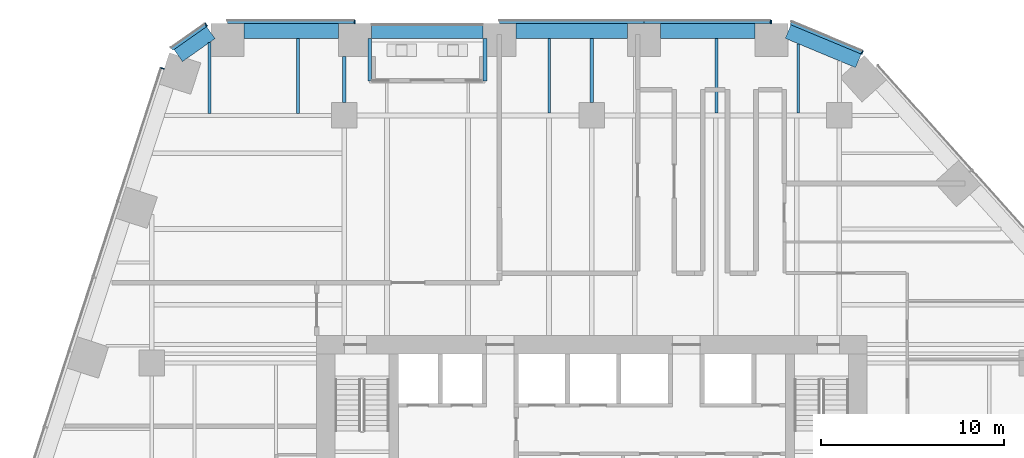
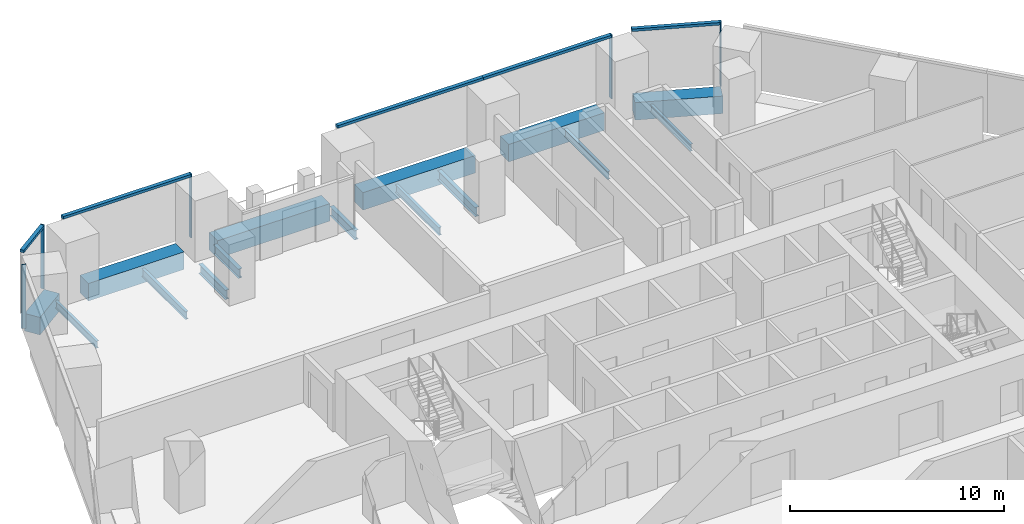
# One storey, part 14 of 31: 15 beams, 10 members, 4 elements without a shape of their own.
"""IFC4 building model written with IfcOpenShell, lengths in metres."""

from ifc_helpers import new_model, si_unit, direction, frame, origin, origin_2d, place, context, subcontext, project, spatial, rectangle, i_section, extrude, material, layer, layer_set, material_profile, profile_set, type_object, element, aggregate, save


model = new_model("IFC4")

# Units and contexts
model_context = context("Model", 3, precision=1e-05, world=origin(), true_north=direction((0.0, 1.0)))
body_context = subcontext(model_context, "Body", "Model", "MODEL_VIEW")
ifc_project = project(units=[si_unit("LENGTHUNIT", "METRE"), si_unit("AREAUNIT", "SQUARE_METRE"), si_unit("VOLUMEUNIT", "CUBIC_METRE"), si_unit("PLANEANGLEUNIT", "RADIAN"), si_unit("MASSUNIT", "GRAM", prefix="KILO")], contexts=[model_context])

# Site, building, storey
site_placement = place(None, origin())
site = spatial("IfcSite", under=ifc_project, at=site_placement, CompositionType="ELEMENT")
building_placement = place(site_placement, origin())
building = spatial("IfcBuilding", under=site, at=building_placement, Name="Isthmus Gate Tower", CompositionType="ELEMENT")
storey_placement = place(building_placement, frame((0.0, 0.0, 54.25)))
storey = spatial("IfcBuildingStorey", under=building, at=storey_placement, Name="L11", CompositionType="ELEMENT", Elevation=54.25)

# Curtain wall, members
ifc_material_1 = material(Name="Aluminium, pale champagne anodised", Category="aluminium")
ifc_layer = layer(ifc_material_1, 0.199951171875)
ifc_layer_set = layer_set([ifc_layer], Name="CW-1 UNITISED CURTAIN WALL 200 DEEP")
curtain_wall_type = type_object("IfcCurtainWallType", Name="CW-1 UNITISED CURTAIN WALL 200 DEEP", PredefinedType="NOTDEFINED", material=ifc_layer_set)
curtain_wall_1_placement = place(storey_placement, origin())
curtain_wall_1 = element("IfcCurtainWall", 1, at=curtain_wall_1_placement, inside=storey, type_object=curtain_wall_type, Name="CW-1 N L11", PredefinedType="NOTDEFINED")
ifc_material_2 = material(Name="Aluminium, pale champagne anodised", Category="aluminium")
ifc_material_profile_1 = material_profile(ifc_material_2, rectangle(XDim=0.06005859375, YDim=0.199951171875, at=origin_2d()), Name="60x200")
ifc_profile_set_1 = profile_set([ifc_material_profile_1], Name="Aluminium, pale champagne anodised")
member_type_1 = type_object("IfcMemberType", Name="CW-1 MULLION 60 X 200", PredefinedType="MULLION", material=ifc_profile_set_1)
member_1_placement = place(storey_placement, frame((9.77197265625, 32.10009765625, 0.0), z_axis=(0.0, 0.0, 1.0), x_axis=(-1.0, 0.0, 0.0)))
member_1 = element("IfcMember", 2, at=member_1_placement, type_object=member_type_1, Name="CW-1 mullion", PredefinedType="MULLION", context=body_context, shape_type="SweptSolid", body=[
    extrude(rectangle(XDim=0.06005859375, YDim=0.199951171875, at=origin_2d()), origin(), (0.0, 0.0, 1.0), 3.64990234375),
])
member_2_placement = place(storey_placement, frame((-12.936767578125, 32.10009765625, 0.0), z_axis=(0.0, 0.0, 1.0), x_axis=(-1.0, 0.0, 0.0)))
member_2 = element("IfcMember", 3, at=member_2_placement, type_object=member_type_1, Name="CW-1 mullion", PredefinedType="MULLION", context=body_context, shape_type="SweptSolid", body=[
    extrude(rectangle(XDim=0.06005859375, YDim=0.199951171875, at=origin_2d()), origin(), (0.0, 0.0, 1.0), 3.64990234375),
])

# Curtain wall, member
curtain_wall_2_placement = place(storey_placement, origin())
curtain_wall_2 = element("IfcCurtainWall", 4, at=curtain_wall_2_placement, inside=storey, type_object=curtain_wall_type, Name="CW-1 N-NW L11", PredefinedType="NOTDEFINED")
member_3_placement = place(storey_placement, frame((-21.031005859375, 31.943115234375, 0.0), z_axis=(0.0, 0.0, 1.0), x_axis=(-0.81785959165, -0.57541783805, 0.0)))
member_3 = element("IfcMember", 5, at=member_3_placement, type_object=member_type_1, Name="CW-1 mullion", PredefinedType="MULLION", context=body_context, shape_type="SweptSolid", body=[
    extrude(rectangle(XDim=0.06005859375, YDim=0.199951171875, at=origin_2d()), origin(), (0.0, 0.0, 1.0), 3.64990234375),
])

curtain_wall_3_placement = place(storey_placement, origin())
curtain_wall_3 = element("IfcCurtainWall", 6, at=curtain_wall_3_placement, inside=storey, type_object=curtain_wall_type, Name="CW-1 NW L11", PredefinedType="NOTDEFINED")
member_4_placement = place(storey_placement, frame((-23.41162109375, 29.561279296875, 0.0), z_axis=(0.0, 0.0, 1.0), x_axis=(-0.309016994375, -0.951056516295, 0.0)))
member_4 = element("IfcMember", 7, at=member_4_placement, type_object=member_type_1, Name="CW-1 mullion", PredefinedType="MULLION", context=body_context, shape_type="SweptSolid", body=[
    extrude(rectangle(XDim=0.06005859375, YDim=0.199951171875, at=origin_2d()), origin(), (0.0, 0.0, 1.0), 3.64990234375),
])
aggregate(curtain_wall_3, [member_4])

curtain_wall_4_placement = place(storey_placement, origin())
curtain_wall_4 = element("IfcCurtainWall", 8, at=curtain_wall_4_placement, inside=storey, type_object=curtain_wall_type, Name="CW-1 NE-N L11", PredefinedType="NOTDEFINED")
member_5_placement = place(storey_placement, frame((14.744140625, 30.427490234375, 0.0), z_axis=(0.0, 0.0, 1.0), x_axis=(-0.923353128387, 0.383951820282, 0.0)))
member_5 = element("IfcMember", 9, at=member_5_placement, type_object=member_type_1, Name="CW-1 mullion", PredefinedType="MULLION", context=body_context, shape_type="SweptSolid", body=[
    extrude(rectangle(XDim=0.06005859375, YDim=0.199951171875, at=origin_2d()), origin(), (0.0, 0.0, 1.0), 3.64990234375),
])

# Member
ifc_material_3 = material(Name="Aluminium, pale champagne anodised", Category="aluminium")
ifc_material_profile_2 = material_profile(ifc_material_3, rectangle(XDim=0.199951171875, YDim=0.14990234375, at=origin_2d()), Name="200x150")
ifc_profile_set_2 = profile_set([ifc_material_profile_2], Name="Aluminium, pale champagne anodised")
member_type_2 = type_object("IfcMemberType", Name="CW-1 TRANSOM 200 X 150", PredefinedType="USERDEFINED", material=ifc_profile_set_2)
member_6_placement = place(storey_placement, frame((9.741943359375, 32.10009765625, 3.574951171875), z_axis=(-1.0, 0.0, 0.0), x_axis=(0.0, -1.0, 0.0)))
member_6 = element("IfcMember", 10, at=member_6_placement, type_object=member_type_2, Name="CW-1 transom", ObjectType="TRANSOM", PredefinedType="USERDEFINED", context=body_context, shape_type="SweptSolid", body=[
    extrude(rectangle(XDim=0.199951171875, YDim=0.14990234375, at=origin_2d()), origin(), (0.0, 0.0, 1.0), 6.90966796875),
])

member_7_placement = place(storey_placement, frame((2.832275390625, 32.10009765625, 3.574951171875), z_axis=(-1.0, 0.0, 0.0), x_axis=(0.0, -1.0, 0.0)))
member_7 = element("IfcMember", 11, at=member_7_placement, type_object=member_type_2, Name="CW-1 transom", ObjectType="TRANSOM", PredefinedType="USERDEFINED", context=body_context, shape_type="SweptSolid", body=[
    extrude(rectangle(XDim=0.199951171875, YDim=0.14990234375, at=origin_2d()), origin(), (0.0, 0.0, 1.0), 7.869384765625),
])

member_8_placement = place(storey_placement, frame((-12.966796875, 32.10009765625, 3.574951171875), z_axis=(-1.0, 0.0, 0.0), x_axis=(0.0, -1.0, 0.0)))
member_8 = element("IfcMember", 12, at=member_8_placement, type_object=member_type_2, Name="CW-1 transom", ObjectType="TRANSOM", PredefinedType="USERDEFINED", context=body_context, shape_type="SweptSolid", body=[
    extrude(rectangle(XDim=0.199951171875, YDim=0.14990234375, at=origin_2d()), origin(), (0.0, 0.0, 1.0), 6.909423828125),
])

aggregate(curtain_wall_1, [member_1, member_6, member_7, member_2, member_8])

member_9_placement = place(storey_placement, frame((-21.055419921875, 31.92578125, 3.574951171875), z_axis=(-0.817868595604, -0.575405040233, 0.0), x_axis=(0.575405040233, -0.817868595604, 0.0)))
member_9 = element("IfcMember", 13, at=member_9_placement, type_object=member_type_2, Name="CW-1 transom", ObjectType="TRANSOM", PredefinedType="USERDEFINED", context=body_context, shape_type="SweptSolid", body=[
    extrude(rectangle(XDim=0.199951171875, YDim=0.14990234375, at=origin_2d()), origin(), (0.0, 0.0, 1.0), 2.258544921875),
])

aggregate(curtain_wall_2, [member_3, member_9])

member_10_placement = place(storey_placement, frame((14.716552734375, 30.43896484375, 3.574951171875), z_axis=(-0.923358236369, 0.383939536033, 0.0), x_axis=(-0.383939536033, -0.923358236369, 0.0)))
member_10 = element("IfcMember", 14, at=member_10_placement, type_object=member_type_2, Name="CW-1 transom", ObjectType="TRANSOM", PredefinedType="USERDEFINED", context=body_context, shape_type="SweptSolid", body=[
    extrude(rectangle(XDim=0.199951171875, YDim=0.14990234375, at=origin_2d()), origin(), (0.0, 0.0, 1.0), 4.181640625),
])

aggregate(curtain_wall_4, [member_5, member_10])

# Beams
ifc_material_4 = material(Name="Concrete f'c 70 MPa", Category="concrete")
ifc_material_profile_3 = material_profile(ifc_material_4, rectangle(XDim=0.800048828125, YDim=1.0, at=origin_2d()), Name="RC 800X1000")
ifc_profile_set_3 = profile_set([ifc_material_profile_3], Name="Concrete f'c 70 MPa")
beam_type_1 = type_object("IfcBeamType", Name="RC SPANDREL 800 X 1000", PredefinedType="SPANDREL", material=ifc_profile_set_3)
beam_1_placement = place(storey_placement, frame((10.701904296875, 31.56689453125, -0.5), z_axis=(0.923334166719, -0.383997417399, 0.0), x_axis=(0.383997417399, 0.923334166719, 0.0)))
element("IfcBeam", 15, at=beam_1_placement, inside=storey, type_object=beam_type_1, Name="str-spandrel-L11-00", PredefinedType="SPANDREL", context=body_context, shape_type="SweptSolid", body=[
    extrude(rectangle(XDim=0.800048828125, YDim=1.0, at=origin_2d()), origin(), (0.0, 0.0, 1.0), 4.15234375),
])
beam_2_placement = place(storey_placement, frame((-22.553466796875, 30.260498046875, -0.5), z_axis=(0.817857331203, 0.575421050882, 0.0), x_axis=(-0.575421050882, 0.817857331203, 0.0)))
element("IfcBeam", 16, at=beam_2_placement, inside=storey, type_object=beam_type_1, Name="str-spandrel-L11-22", PredefinedType="SPANDREL", context=body_context, shape_type="SweptSolid", body=[
    extrude(rectangle(XDim=0.800048828125, YDim=1.0, at=origin_2d()), origin(), (0.0, 0.0, 1.0), 2.173095703125),
])
beam_3_placement = place(storey_placement, frame((-18.976318359375, 31.60009765625, -0.5), z_axis=(1.0, 0.0, 0.0), x_axis=(0.0, 1.0, 0.0)))
element("IfcBeam", 17, at=beam_3_placement, inside=storey, type_object=beam_type_1, Name="str-spandrel-L11-23", PredefinedType="SPANDREL", context=body_context, shape_type="SweptSolid", body=[
    extrude(rectangle(XDim=0.800048828125, YDim=1.0, at=origin_2d()), origin(), (0.0, 0.0, 1.0), 5.169677734375),
])
beam_4_placement = place(storey_placement, frame((-12.006591796875, 31.60009765625, -0.5), z_axis=(1.0, 0.0, 0.0), x_axis=(0.0, 1.0, 0.0)))
element("IfcBeam", 18, at=beam_4_placement, inside=storey, type_object=beam_type_1, Name="str-spandrel-L11-24", PredefinedType="SPANDREL", context=body_context, shape_type="SweptSolid", body=[
    extrude(rectangle(XDim=0.800048828125, YDim=1.0, at=origin_2d()), origin(), (0.0, 0.0, 1.0), 6.0693359375),
])
beam_5_placement = place(storey_placement, frame((-4.13720703125, 31.60009765625, -0.5), z_axis=(1.0, 0.0, 0.0), x_axis=(0.0, 1.0, 0.0)))
element("IfcBeam", 19, at=beam_5_placement, inside=storey, type_object=beam_type_1, Name="str-spandrel-L11-25", PredefinedType="SPANDREL", context=body_context, shape_type="SweptSolid", body=[
    extrude(rectangle(XDim=0.800048828125, YDim=1.0, at=origin_2d()), origin(), (0.0, 0.0, 1.0), 6.069580078125),
])
beam_6_placement = place(storey_placement, frame((3.732421875, 31.60009765625, -0.5), z_axis=(1.0, 0.0, 0.0), x_axis=(0.0, 1.0, 0.0)))
element("IfcBeam", 20, at=beam_6_placement, inside=storey, type_object=beam_type_1, Name="str-spandrel-L11-26", PredefinedType="SPANDREL", context=body_context, shape_type="SweptSolid", body=[
    extrude(rectangle(XDim=0.800048828125, YDim=1.0, at=origin_2d()), origin(), (0.0, 0.0, 1.0), 5.16943359375),
])
ifc_material_5 = material(Name="Structural steel ASTM A992 Gr 50", Category="steel")
ifc_material_profile_4 = material_profile(ifc_material_5, i_section(OverallWidth=0.1396484375, OverallDepth=0.4033203125, WebThickness=0.00634765625, FlangeThickness=0.010986328125, at=origin_2d()), Name="W16X31")
ifc_profile_set_4 = profile_set([ifc_material_profile_4], Name="Structural steel ASTM A992 Gr 50")
beam_type_2 = type_object("IfcBeamType", Name="STEEL FLOOR BEAM W16X31", PredefinedType="JOIST", material=ifc_profile_set_4)
beam_7_placement = place(storey_placement, frame((-20.846435546875, 27.1142578125, -0.3515625), z_axis=(0.0, 1.0, 0.0), x_axis=(-1.0, 0.0, 0.0)))
element("IfcBeam", 21, at=beam_7_placement, inside=storey, type_object=beam_type_2, Name="str-beam-L11-10-00", PredefinedType="JOIST", context=body_context, shape_type="SweptSolid", body=[
    extrude(i_section(OverallWidth=0.1396484375, OverallDepth=0.4033203125, WebThickness=0.00634765625, FlangeThickness=0.010986328125, at=origin_2d()), origin(), (0.0, 0.0, 1.0), 3.858154296875),
])
beam_8_placement = place(storey_placement, frame((11.267578125, 27.1318359375, -0.3515625), z_axis=(0.0, 1.0, 0.0), x_axis=(-1.0, 0.0, 0.0)))
element("IfcBeam", 22, at=beam_8_placement, inside=storey, type_object=beam_type_2, Name="str-beam-L11-22-02", PredefinedType="JOIST", context=body_context, shape_type="SweptSolid", body=[
    extrude(i_section(OverallWidth=0.1396484375, OverallDepth=0.4033203125, WebThickness=0.00634765625, FlangeThickness=0.010986328125, at=origin_2d()), origin(), (0.0, 0.0, 1.0), 3.7666015625),
])
ifc_material_6 = material(Name="Structural steel ASTM A992 Gr 50", Category="steel")
ifc_material_profile_5 = material_profile(ifc_material_6, i_section(OverallWidth=0.15234375, OverallDepth=0.45068359375, WebThickness=0.0078125, FlangeThickness=0.010986328125, at=origin_2d()), Name="W18X35")
ifc_profile_set_5 = profile_set([ifc_material_profile_5], Name="Structural steel ASTM A992 Gr 50")
beam_type_3 = type_object("IfcBeamType", Name="STEEL FLOOR BEAM W18X35", PredefinedType="JOIST", material=ifc_profile_set_5)
beam_9_placement = place(storey_placement, frame((-16.0185546875, 27.1142578125, -0.37548828125), z_axis=(0.0, 1.0, 0.0), x_axis=(-1.0, 0.0, 0.0)))
element("IfcBeam", 23, at=beam_9_placement, inside=storey, type_object=beam_type_3, Name="str-beam-L11-10-01", PredefinedType="JOIST", context=body_context, shape_type="SweptSolid", body=[
    extrude(i_section(OverallWidth=0.15234375, OverallDepth=0.45068359375, WebThickness=0.0078125, FlangeThickness=0.010986328125, at=origin_2d()), origin(), (0.0, 0.0, 1.0), 4.085693359375),
])
for number, where, z_axis, x_axis, name in (
    (24, (-2.31982421875, 27.1318359375, -0.37548828125), (0.0, 1.0, 0.0), (-1.0, 0.0, 0.0), "str-beam-L11-17-02"),
    (25, (6.802490234375, 27.1318359375, -0.37548828125), (0.0, 1.0, 0.0), (-1.0, 0.0, 0.0), "str-beam-L11-22-01"),
):
    element("IfcBeam", number, at=place(storey_placement, frame(where, z_axis=z_axis, x_axis=x_axis)), inside=storey, type_object=beam_type_3, Name=name, PredefinedType="JOIST", context=body_context, shape_type="SweptSolid", body=[
        extrude(i_section(OverallWidth=0.15234375, OverallDepth=0.45068359375, WebThickness=0.0078125, FlangeThickness=0.010986328125, at=origin_2d()), origin(), (0.0, 0.0, 1.0), 4.068115234375),
    ])
ifc_material_7 = material(Name="Structural steel ASTM A992 Gr 50", Category="steel")
ifc_material_profile_6 = material_profile(ifc_material_7, i_section(OverallWidth=0.20947265625, OverallDepth=0.533447265625, WebThickness=0.009521484375, FlangeThickness=0.015869140625, at=origin_2d()), Name="W21X62")
ifc_profile_set_6 = profile_set([ifc_material_profile_6], Name="Structural steel ASTM A992 Gr 50")
beam_type_4 = type_object("IfcBeamType", Name="STEEL GIRDER W21X62", PredefinedType="BEAM", material=ifc_profile_set_6)
beam_10_placement = place(storey_placement, frame((-13.5, 27.699951171875, -0.416748046875), z_axis=(0.0, 1.0, 0.0), x_axis=(-1.0, 0.0, 0.0)))
element("IfcBeam", 26, at=beam_10_placement, inside=storey, type_object=beam_type_4, Name="str-girder-L11-27", PredefinedType="BEAM", context=body_context, shape_type="SweptSolid", body=[
    extrude(i_section(OverallWidth=0.20947265625, OverallDepth=0.533447265625, WebThickness=0.009521484375, FlangeThickness=0.015869140625, at=origin_2d()), origin(), (0.0, 0.0, 1.0), 2.5),
])
beam_11_placement = place(storey_placement, frame((0.0, 27.699951171875, -0.416748046875), z_axis=(0.0, 1.0, 0.0), x_axis=(-1.0, 0.0, 0.0)))
element("IfcBeam", 27, at=beam_11_placement, inside=storey, type_object=beam_type_4, Name="str-girder-L11-30", PredefinedType="BEAM", context=body_context, shape_type="SweptSolid", body=[
    extrude(i_section(OverallWidth=0.20947265625, OverallDepth=0.533447265625, WebThickness=0.009521484375, FlangeThickness=0.015869140625, at=origin_2d()), origin(), (0.0, 0.0, 1.0), 3.5),
])
ifc_material_8 = material(Name="Structural steel ASTM A992 Gr 50", Category="steel")
ifc_material_profile_7 = material_profile(ifc_material_8, i_section(OverallWidth=0.20947265625, OverallDepth=0.533447265625, WebThickness=0.009521484375, FlangeThickness=0.015869140625, at=origin_2d()), Name="W21X62")
ifc_profile_set_7 = profile_set([ifc_material_profile_7], Name="Structural steel ASTM A992 Gr 50")
beam_type_5 = type_object("IfcBeamType", Name="STEEL TRIMMER W21X62", PredefinedType="BEAM", material=ifc_profile_set_7)
for number, where, z_axis, x_axis, name in (
    (28, (-5.83251953125, 31.199951171875, -0.416748046875), (0.0, -1.0, 0.0), (1.0, 0.0, 0.0), "str-loggiatrim-L11-01-A"),
    (29, (-12.111572265625, 31.199951171875, -0.416748046875), (0.0, -1.0, 0.0), (1.0, 0.0, 0.0), "str-loggiatrim-L11-01-C"),
):
    element("IfcBeam", number, at=place(storey_placement, frame(where, z_axis=z_axis, x_axis=x_axis)), inside=storey, type_object=beam_type_5, Name=name, PredefinedType="BEAM", context=body_context, shape_type="SweptSolid", body=[
        extrude(i_section(OverallWidth=0.20947265625, OverallDepth=0.533447265625, WebThickness=0.009521484375, FlangeThickness=0.015869140625, at=origin_2d()), origin(), (0.0, 0.0, 1.0), 2.314208984375),
    ])

save(model, "model.ifc")
